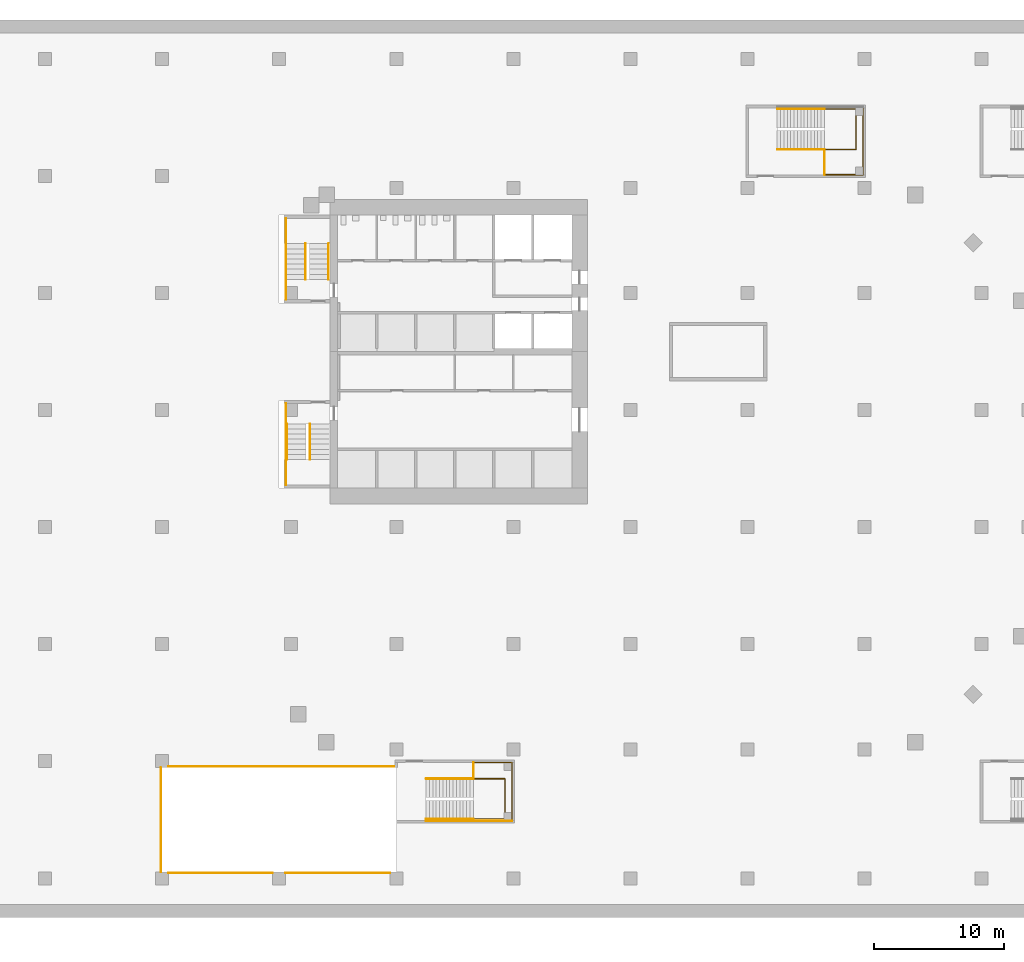
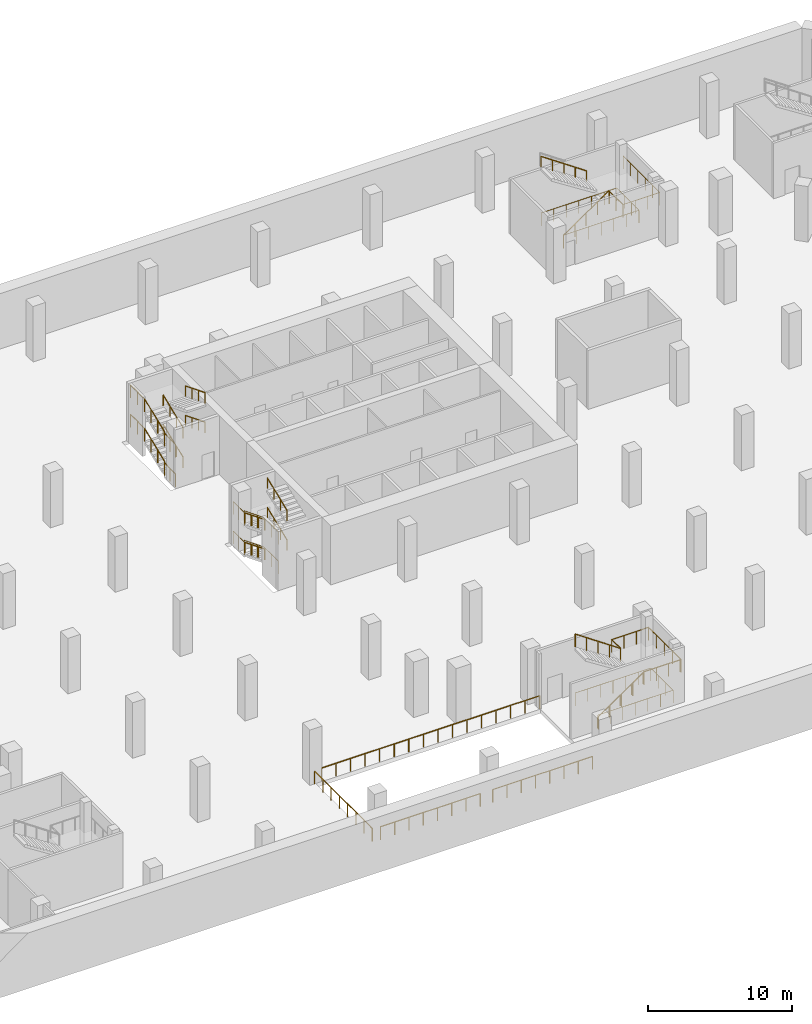
# One storey, part 16 of 19: 27 railings, 2 elements without a shape of their own.
"""IFC4 building model written with IfcOpenShell, lengths in metres."""

import ifcopenshell
import ifcopenshell.guid

model = None  # the IFC model being written
_history = None  # IfcOwnerHistory: only IFC2X3 demands one
_inside = {}  # id of a spatial element -> (the spatial element, [elements in it])
_under = {}  # id of a project, library or spatial element -> (it, [spatial elements below it])
_declared = {}  # id of a project -> (the project, [libraries it declares])
_typed = {}  # id of a type object -> (the type object, [elements of that type])
_made_of = {}  # id of a material, layer set ... -> (it, [elements and type objects made of it])


def new_model(schema):
    """Start an empty IFC model of exactly this schema.

    Asked for "IFC4X3", IfcOpenShell would pick the latest addendum, in which some entities
    have other attributes; the version numbers below select the first issue.
    IFC2X3 requires an IfcOwnerHistory on every rooted entity: one is made here for all.
    """
    global model, _history
    if schema == "IFC4X3":
        model = ifcopenshell.file(schema_version=(4, 3, 0, 0))
    else:
        model = ifcopenshell.file(schema=schema)
    _inside.clear()
    _under.clear()
    _declared.clear()
    _typed.clear()
    _made_of.clear()
    _history = None
    if model.schema == "IFC2X3":
        org = make("IfcOrganization", Name="unknown")
        user = make(
            "IfcPersonAndOrganization",
            ThePerson=make("IfcPerson", FamilyName="unknown"),
            TheOrganization=org,
        )
        app = make(
            "IfcApplication",
            ApplicationDeveloper=org,
            Version="unknown",
            ApplicationFullName="unknown",
            ApplicationIdentifier="unknown",
        )
        _history = make(
            "IfcOwnerHistory",
            OwningUser=user,
            OwningApplication=app,
            ChangeAction="ADDED",
            CreationDate=0,
        )
    return model


def make(cls, **values):
    """One entity of the class cls with the attributes given. An attribute that is None is left unset."""
    return model.create_entity(
        cls, **{name: value for name, value in values.items() if value is not None}
    )


def rooted(cls, **values):
    """An entity with a GlobalId (a new one), such as an element, a storey or a relation."""
    return make(cls, GlobalId=ifcopenshell.guid.new(), OwnerHistory=_history, **values)


def si_unit(unit_type, name, prefix=None):
    """IfcSIUnit, for example si_unit("LENGTHUNIT", "METRE", prefix="MILLI")."""
    return make("IfcSIUnit", UnitType=unit_type, Prefix=prefix, Name=name)


def assignment(units):
    """IfcUnitAssignment: the units of a project."""
    return None if units is None else make("IfcUnitAssignment", Units=units)


def point(xyz):
    """IfcCartesianPoint."""
    return None if xyz is None else make("IfcCartesianPoint", Coordinates=xyz)


def direction(xyz):
    """IfcDirection."""
    return None if xyz is None else make("IfcDirection", DirectionRatios=xyz)


def frame(location, z_axis=None, x_axis=None):
    """IfcAxis2Placement3D, a coordinate frame: its origin and axes. An axis left out is left unset."""
    return make(
        "IfcAxis2Placement3D",
        Location=point(location),
        Axis=direction(z_axis),
        RefDirection=direction(x_axis),
    )


def frame_2d(location, x_axis=None):
    """IfcAxis2Placement2D, a coordinate frame in the plane: its origin and x axis."""
    return make(
        "IfcAxis2Placement2D", Location=point(location), RefDirection=direction(x_axis)
    )


def origin():
    """The frame at (0, 0, 0) with its axes left unset."""
    return frame((0.0, 0.0, 0.0))


def origin_2d():
    """The frame at (0, 0) in the plane with its x axis left unset."""
    return frame_2d((0.0, 0.0))


def place(relative_to, where):
    """IfcLocalPlacement: puts the frame where relative to a parent placement (None: the world)."""
    return make(
        "IfcLocalPlacement", PlacementRelTo=relative_to, RelativePlacement=where
    )


def context(
    kind, dimensions, precision=None, world=None, true_north=None, identifier=None
):
    """IfcGeometricRepresentationContext, for example the 3D "Model" context."""
    return make(
        "IfcGeometricRepresentationContext",
        ContextIdentifier=identifier,
        ContextType=kind,
        CoordinateSpaceDimension=dimensions,
        Precision=precision,
        WorldCoordinateSystem=world,
        TrueNorth=true_north,
    )


def subcontext(parent, identifier, kind, view, scale=None):
    """IfcGeometricRepresentationSubContext, for example "Body" below "Model"."""
    return make(
        "IfcGeometricRepresentationSubContext",
        ContextIdentifier=identifier,
        ContextType=kind,
        ParentContext=parent,
        TargetScale=scale,
        TargetView=view,
    )


def project(units=None, contexts=None):
    """IfcProject with its units and contexts."""
    return rooted(
        "IfcProject",
        Name="project",
        RepresentationContexts=contexts,
        UnitsInContext=assignment(units),
    )


def spatial(cls, under=None, at=None, **own):
    """A site, building, storey or space (cls), placed at a placement, below another one or the project."""
    s = rooted(cls, ObjectPlacement=at, **own)
    if under is not None:
        _under.setdefault(under.id(), (under, []))[1].append(s)
    return s


def profile(cls, at=None, kind="AREA", **sizes):
    """A parametric profile (cls). Its sizes go by their IFC names, for example OverallWidth=200.0."""
    return make(cls, ProfileType=kind, Position=at, **sizes)


def circle(**sizes):
    """IfcCircleProfileDef."""
    return profile("IfcCircleProfileDef", **sizes)


def extrude(swept, where, along, depth):
    """IfcExtrudedAreaSolid: the profile swept, set in the frame where, extruded along a direction by depth."""
    return make(
        "IfcExtrudedAreaSolid",
        SweptArea=swept,
        Position=where,
        ExtrudedDirection=direction(along),
        Depth=depth,
    )


def shape(context_of_items, identifier, shape_type, items):
    """IfcShapeRepresentation: the items that make up one representation, for example the "Body"."""
    return make(
        "IfcShapeRepresentation",
        ContextOfItems=context_of_items,
        RepresentationIdentifier=identifier,
        RepresentationType=shape_type,
        Items=items,
    )


def material(Name=None, Category=None):
    """IfcMaterial."""
    return make("IfcMaterial", Name=Name, Category=Category)


def made_of(thing, what):
    """Note that an element or type object is made of a material, layer set ...; save() writes the relation."""
    if what is not None:
        _made_of.setdefault(what.id(), (what, []))[1].append(thing)
    return thing


def type_object(cls, material=None, **own):
    """A type object (cls), such as IfcWallType, which elements share."""
    return made_of(rooted(cls, **own), material)


def element(
    cls,
    number,
    at=None,
    inside=None,
    cuts=None,
    type_object=None,
    material=None,
    context=None,
    identifier="Body",
    shape_type=None,
    held_by="IfcProductDefinitionShape",
    body=None,
    shapes=None,
    **own,
):
    """One element of the class cls, such as IfcWall. Its Tag is "e" and its number.

    at: its placement. inside: the storey or other place that contains it. cuts: it is an
    opening in that element (IfcRelVoidsElement). A single representation is given by context,
    identifier, shape_type and body (its items); several are given by shapes. held_by: the class
    of the entity that holds the representations. save() writes the other relations.
    """
    e = rooted(cls, Tag="e%d" % number, ObjectPlacement=at, **own)
    if body is not None:
        shapes = [shape(context, identifier, shape_type, body)]
    if shapes is not None:
        e.Representation = make(held_by, Representations=shapes)
    if inside is not None:
        _inside.setdefault(inside.id(), (inside, []))[1].append(e)
    if cuts is not None:
        rooted(
            "IfcRelVoidsElement", RelatingBuildingElement=cuts, RelatedOpeningElement=e
        )
    if type_object is not None:
        _typed.setdefault(type_object.id(), (type_object, []))[1].append(e)
    return made_of(e, material)


def aggregate(whole, parts):
    """IfcRelAggregates: a whole, such as a stair, and the parts it consists of."""
    return rooted("IfcRelAggregates", RelatingObject=whole, RelatedObjects=parts)


def save(model, path):
    """Write the relations noted so far, then the file.

    IfcRelAggregates (storeys below a building ...), IfcRelContainedInSpatialStructure (elements
    in a storey), IfcRelDefinesByType, IfcRelAssociatesMaterial and IfcRelDeclares: one each for
    every whole, place, type object, material and project.
    """
    for whole, parts in _under.values():
        aggregate(whole, parts)
    for where, things in _inside.values():
        rooted(
            "IfcRelContainedInSpatialStructure",
            RelatedElements=things,
            RelatingStructure=where,
        )
    for kind, things in _typed.values():
        rooted("IfcRelDefinesByType", RelatedObjects=things, RelatingType=kind)
    for what, things in _made_of.values():
        rooted("IfcRelAssociatesMaterial", RelatedObjects=things, RelatingMaterial=what)
    for by, libraries in _declared.values():
        rooted("IfcRelDeclares", RelatingContext=by, RelatedDefinitions=libraries)
    model.write(path)


model = new_model("IFC4")

# Units and contexts
model_context = context("Model", 3, precision=1e-05, world=origin(), true_north=direction((0.0, 1.0)))
body_context = subcontext(model_context, "Body", "Model", "MODEL_VIEW")
ifc_project = project(units=[si_unit("LENGTHUNIT", "METRE"), si_unit("AREAUNIT", "SQUARE_METRE"), si_unit("VOLUMEUNIT", "CUBIC_METRE"), si_unit("PLANEANGLEUNIT", "RADIAN"), si_unit("MASSUNIT", "GRAM", prefix="KILO")], contexts=[model_context])

# Site, building, storey
site_placement = place(None, origin())
site = spatial("IfcSite", under=ifc_project, at=site_placement, CompositionType="ELEMENT")
building_placement = place(site_placement, origin())
building = spatial("IfcBuilding", under=site, at=building_placement, Name="Cinnabar Reach Civic Tower", CompositionType="ELEMENT")
storey_placement = place(building_placement, frame((0.0, 0.0, -5.0)))
storey = spatial("IfcBuildingStorey", under=building, at=storey_placement, Name="B1", CompositionType="ELEMENT", Elevation=-5.0)

# Railings
ifc_material_1 = material(Name="Stainless steel and glass", Category="steel")
railing_type_1 = type_object("IfcRailingType", Name="Podium guard 1100", PredefinedType="GUARDRAIL", material=ifc_material_1)
railing_1_placement = place(storey_placement, frame((14.94, -1.35, 2.5)))
element("IfcRailing", 1, at=railing_1_placement, inside=storey, type_object=railing_type_1, Name="Stair guard PS3 B1", PredefinedType="GUARDRAIL", context=body_context, shape_type="SweptSolid", body=[
    extrude(circle(Radius=0.024, at=origin_2d()), frame((0.0, 0.0, 1.076), z_axis=(-0.824306135323, 0.0, 0.566144323711), x_axis=(0.0, -1.0, 0.0)), (0.0, 0.0, 1.0), 4.4158),
    extrude(circle(Radius=0.021, at=origin_2d()), origin(), (0.0, 0.0, 1.0), 1.052),
    extrude(circle(Radius=0.021, at=origin_2d()), frame((-0.91, 0.0, 0.625)), (0.0, 0.0, 1.0), 1.052),
    extrude(circle(Radius=0.021, at=origin_2d()), frame((-1.82, 0.0, 1.25)), (0.0, 0.0, 1.0), 1.052),
    extrude(circle(Radius=0.021, at=origin_2d()), frame((-2.73, 0.0, 1.875)), (0.0, 0.0, 1.0), 1.052),
    extrude(circle(Radius=0.021, at=origin_2d()), frame((-3.64, 0.0, 2.5)), (0.0, 0.0, 1.0), 1.052),
])
railing_2_placement = place(storey_placement, frame((14.94, -0.1, 2.5)))
element("IfcRailing", 2, at=railing_2_placement, inside=storey, type_object=railing_type_1, Name="Landing guard PS3 B1", PredefinedType="GUARDRAIL", context=body_context, shape_type="SweptSolid", body=[
    extrude(circle(Radius=0.024, at=origin_2d()), frame((0.0, 0.0, 1.076), z_axis=(1.0, 0.0, 0.0), x_axis=(0.0, 1.0, 0.0)), (0.0, 0.0, 1.0), 2.96),
    extrude(circle(Radius=0.024, at=origin_2d()), frame((2.96, 0.0, 1.076), z_axis=(0.0, -1.0, 0.0), x_axis=(1.0, 0.0, 0.0)), (0.0, 0.0, 1.0), 4.4),
    extrude(circle(Radius=0.021, at=origin_2d()), origin(), (0.0, 0.0, 1.0), 1.052),
    extrude(circle(Radius=0.021, at=origin_2d()), frame((0.9867, 0.0, 0.0)), (0.0, 0.0, 1.0), 1.052),
    extrude(circle(Radius=0.021, at=origin_2d()), frame((1.9733, 0.0, 0.0)), (0.0, 0.0, 1.0), 1.052),
    extrude(circle(Radius=0.021, at=origin_2d()), frame((2.96, 0.0, 0.0)), (0.0, 0.0, 1.0), 1.052),
    extrude(circle(Radius=0.021, at=origin_2d()), frame((2.96, -1.1, 0.0)), (0.0, 0.0, 1.0), 1.052),
    extrude(circle(Radius=0.021, at=origin_2d()), frame((2.96, -2.2, 0.0)), (0.0, 0.0, 1.0), 1.052),
    extrude(circle(Radius=0.021, at=origin_2d()), frame((2.96, -3.3, 0.0)), (0.0, 0.0, 1.0), 1.052),
    extrude(circle(Radius=0.021, at=origin_2d()), frame((2.96, -4.4, 0.0)), (0.0, 0.0, 1.0), 1.052),
])
railing_3_placement = place(storey_placement, frame((14.94, -1.3, 2.5)))
element("IfcRailing", 3, at=railing_3_placement, inside=storey, type_object=railing_type_1, Name="Landing guard PS3 B1 inner", PredefinedType="GUARDRAIL", context=body_context, shape_type="SweptSolid", body=[
    extrude(circle(Radius=0.024, at=origin_2d()), frame((0.0, 0.0, 1.076), z_axis=(0.0, 1.0, 0.0), x_axis=(-1.0, 0.0, 0.0)), (0.0, 0.0, 1.0), 1.2),
    extrude(circle(Radius=0.021, at=origin_2d()), origin(), (0.0, 0.0, 1.0), 1.052),
    extrude(circle(Radius=0.021, at=origin_2d()), frame((0.0, 1.2, 0.0)), (0.0, 0.0, 1.0), 1.052),
])
railing_4_placement = place(storey_placement, frame((11.3, -4.6, 0.0)))
element("IfcRailing", 4, at=railing_4_placement, inside=storey, type_object=railing_type_1, Name="Stair wall side guard PS3 B1", PredefinedType="GUARDRAIL", context=body_context, shape_type="SweptSolid", body=[
    extrude(circle(Radius=0.024, at=origin_2d()), frame((0.0, 0.0, 1.076), z_axis=(0.824306135323, 0.0, 0.566144323711), x_axis=(0.0, 1.0, 0.0)), (0.0, 0.0, 1.0), 4.4158),
    extrude(circle(Radius=0.024, at=origin_2d()), frame((3.64, 0.0, 3.576), z_axis=(1.0, 0.0, 0.0), x_axis=(0.0, 1.0, 0.0)), (0.0, 0.0, 1.0), 2.96),
    extrude(circle(Radius=0.021, at=origin_2d()), origin(), (0.0, 0.0, 1.0), 1.052),
    extrude(circle(Radius=0.021, at=origin_2d()), frame((0.91, 0.0, 0.625)), (0.0, 0.0, 1.0), 1.052),
    extrude(circle(Radius=0.021, at=origin_2d()), frame((1.82, 0.0, 1.25)), (0.0, 0.0, 1.0), 1.052),
    extrude(circle(Radius=0.021, at=origin_2d()), frame((2.73, 0.0, 1.875)), (0.0, 0.0, 1.0), 1.052),
    extrude(circle(Radius=0.021, at=origin_2d()), frame((3.64, 0.0, 2.5)), (0.0, 0.0, 1.0), 1.052),
    extrude(circle(Radius=0.021, at=origin_2d()), frame((4.6267, 0.0, 2.5)), (0.0, 0.0, 1.0), 1.052),
    extrude(circle(Radius=0.021, at=origin_2d()), frame((5.6133, 0.0, 2.5)), (0.0, 0.0, 1.0), 1.052),
    extrude(circle(Radius=0.021, at=origin_2d()), frame((6.6, 0.0, 2.5)), (0.0, 0.0, 1.0), 1.052),
])
railing_5_placement = place(storey_placement, frame((11.3, -4.45, 0.0)))
element("IfcRailing", 5, at=railing_5_placement, inside=storey, type_object=railing_type_1, Name="Stair well guard PS3 B1", PredefinedType="GUARDRAIL", context=body_context, shape_type="SweptSolid", body=[
    extrude(circle(Radius=0.024, at=origin_2d()), frame((0.0, 0.0, 1.076), z_axis=(1.0, 0.0, 0.0), x_axis=(0.0, 1.0, 0.0)), (0.0, 0.0, 1.0), 6.05),
    extrude(circle(Radius=0.024, at=origin_2d()), frame((6.05, 0.0, 1.076), z_axis=(0.0, 1.0, 0.0), x_axis=(-1.0, 0.0, 0.0)), (0.0, 0.0, 1.0), 3.1),
    extrude(circle(Radius=0.024, at=origin_2d()), frame((6.05, 3.1, 1.076), z_axis=(-1.0, 0.0, 0.0), x_axis=(0.0, -1.0, 0.0)), (0.0, 0.0, 1.0), 6.05),
    extrude(circle(Radius=0.021, at=origin_2d()), origin(), (0.0, 0.0, 1.0), 1.052),
    extrude(circle(Radius=0.021, at=origin_2d()), frame((1.0083, 0.0, 0.0)), (0.0, 0.0, 1.0), 1.052),
    extrude(circle(Radius=0.021, at=origin_2d()), frame((2.0167, 0.0, 0.0)), (0.0, 0.0, 1.0), 1.052),
    extrude(circle(Radius=0.021, at=origin_2d()), frame((3.025, 0.0, 0.0)), (0.0, 0.0, 1.0), 1.052),
    extrude(circle(Radius=0.021, at=origin_2d()), frame((4.0333, 0.0, 0.0)), (0.0, 0.0, 1.0), 1.052),
    extrude(circle(Radius=0.021, at=origin_2d()), frame((5.0417, 0.0, 0.0)), (0.0, 0.0, 1.0), 1.052),
    extrude(circle(Radius=0.021, at=origin_2d()), frame((6.05, 0.0, 0.0)), (0.0, 0.0, 1.0), 1.052),
    extrude(circle(Radius=0.021, at=origin_2d()), frame((6.05, 1.0333, 0.0)), (0.0, 0.0, 1.0), 1.052),
    extrude(circle(Radius=0.021, at=origin_2d()), frame((6.05, 2.0667, 0.0)), (0.0, 0.0, 1.0), 1.052),
    extrude(circle(Radius=0.021, at=origin_2d()), frame((6.05, 3.1, 0.0)), (0.0, 0.0, 1.0), 1.052),
    extrude(circle(Radius=0.021, at=origin_2d()), frame((5.0417, 3.1, 0.0)), (0.0, 0.0, 1.0), 1.052),
    extrude(circle(Radius=0.021, at=origin_2d()), frame((4.0333, 3.1, 0.0)), (0.0, 0.0, 1.0), 1.052),
    extrude(circle(Radius=0.021, at=origin_2d()), frame((3.025, 3.1, 0.0)), (0.0, 0.0, 1.0), 1.052),
    extrude(circle(Radius=0.021, at=origin_2d()), frame((2.0167, 3.1, 0.0)), (0.0, 0.0, 1.0), 1.052),
    extrude(circle(Radius=0.021, at=origin_2d()), frame((1.0083, 3.1, 0.0)), (0.0, 0.0, 1.0), 1.052),
    extrude(circle(Radius=0.021, at=origin_2d()), frame((0.0, 3.1, 0.0)), (0.0, 0.0, 1.0), 1.052),
])
railing_6_placement = place(storey_placement, frame((38.3, 47.05, 0.0)))
element("IfcRailing", 6, at=railing_6_placement, inside=storey, type_object=railing_type_1, Name="Stair guard PS6 B1", PredefinedType="GUARDRAIL", context=body_context, shape_type="SweptSolid", body=[
    extrude(circle(Radius=0.024, at=origin_2d()), frame((0.0, 0.0, 1.076), z_axis=(0.824306135323, 0.0, 0.566144323711), x_axis=(0.0, 1.0, 0.0)), (0.0, 0.0, 1.0), 4.4158),
    extrude(circle(Radius=0.021, at=origin_2d()), origin(), (0.0, 0.0, 1.0), 1.052),
    extrude(circle(Radius=0.021, at=origin_2d()), frame((0.91, 0.0, 0.625)), (0.0, 0.0, 1.0), 1.052),
    extrude(circle(Radius=0.021, at=origin_2d()), frame((1.82, 0.0, 1.25)), (0.0, 0.0, 1.0), 1.052),
    extrude(circle(Radius=0.021, at=origin_2d()), frame((2.73, 0.0, 1.875)), (0.0, 0.0, 1.0), 1.052),
    extrude(circle(Radius=0.021, at=origin_2d()), frame((3.64, 0.0, 2.5)), (0.0, 0.0, 1.0), 1.052),
])
railing_7_placement = place(storey_placement, frame((41.94, 45.1, 2.5)))
element("IfcRailing", 7, at=railing_7_placement, inside=storey, type_object=railing_type_1, Name="Landing guard PS6 B1", PredefinedType="GUARDRAIL", context=body_context, shape_type="SweptSolid", body=[
    extrude(circle(Radius=0.024, at=origin_2d()), frame((0.0, 0.0, 1.076), z_axis=(1.0, 0.0, 0.0), x_axis=(0.0, 1.0, 0.0)), (0.0, 0.0, 1.0), 2.96),
    extrude(circle(Radius=0.024, at=origin_2d()), frame((2.96, 0.0, 1.076), z_axis=(0.0, 1.0, 0.0), x_axis=(-1.0, 0.0, 0.0)), (0.0, 0.0, 1.0), 5.1),
    extrude(circle(Radius=0.021, at=origin_2d()), origin(), (0.0, 0.0, 1.0), 1.052),
    extrude(circle(Radius=0.021, at=origin_2d()), frame((0.9867, 0.0, 0.0)), (0.0, 0.0, 1.0), 1.052),
    extrude(circle(Radius=0.021, at=origin_2d()), frame((1.9733, 0.0, 0.0)), (0.0, 0.0, 1.0), 1.052),
    extrude(circle(Radius=0.021, at=origin_2d()), frame((2.96, 0.0, 0.0)), (0.0, 0.0, 1.0), 1.052),
    extrude(circle(Radius=0.021, at=origin_2d()), frame((2.96, 1.02, 0.0)), (0.0, 0.0, 1.0), 1.052),
    extrude(circle(Radius=0.021, at=origin_2d()), frame((2.96, 2.04, 0.0)), (0.0, 0.0, 1.0), 1.052),
    extrude(circle(Radius=0.021, at=origin_2d()), frame((2.96, 3.06, 0.0)), (0.0, 0.0, 1.0), 1.052),
    extrude(circle(Radius=0.021, at=origin_2d()), frame((2.96, 4.08, 0.0)), (0.0, 0.0, 1.0), 1.052),
    extrude(circle(Radius=0.021, at=origin_2d()), frame((2.96, 5.1, 0.0)), (0.0, 0.0, 1.0), 1.052),
])
railing_8_placement = place(storey_placement, frame((41.94, 45.1, 2.5)))
element("IfcRailing", 8, at=railing_8_placement, inside=storey, type_object=railing_type_1, Name="Landing guard PS6 B1 inner", PredefinedType="GUARDRAIL", context=body_context, shape_type="SweptSolid", body=[
    extrude(circle(Radius=0.024, at=origin_2d()), frame((0.0, 0.0, 1.076), z_axis=(0.0, 1.0, 0.0), x_axis=(-1.0, 0.0, 0.0)), (0.0, 0.0, 1.0), 1.9),
    extrude(circle(Radius=0.021, at=origin_2d()), origin(), (0.0, 0.0, 1.0), 1.052),
    extrude(circle(Radius=0.021, at=origin_2d()), frame((0.0, 0.95, 0.0)), (0.0, 0.0, 1.0), 1.052),
    extrude(circle(Radius=0.021, at=origin_2d()), frame((0.0, 1.9, 0.0)), (0.0, 0.0, 1.0), 1.052),
])
railing_9_placement = place(storey_placement, frame((38.3, 47.05, 0.0)))
element("IfcRailing", 9, at=railing_9_placement, inside=storey, type_object=railing_type_1, Name="Stair well guard PS6 B1", PredefinedType="GUARDRAIL", context=body_context, shape_type="SweptSolid", body=[
    extrude(circle(Radius=0.024, at=origin_2d()), frame((0.0, 0.0, 1.076), z_axis=(1.0, 0.0, 0.0), x_axis=(0.0, 1.0, 0.0)), (0.0, 0.0, 1.0), 6.05),
    extrude(circle(Radius=0.024, at=origin_2d()), frame((6.05, 0.0, 1.076), z_axis=(0.0, 1.0, 0.0), x_axis=(-1.0, 0.0, 0.0)), (0.0, 0.0, 1.0), 3.1),
    extrude(circle(Radius=0.024, at=origin_2d()), frame((6.05, 3.1, 1.076), z_axis=(-1.0, 0.0, 0.0), x_axis=(0.0, -1.0, 0.0)), (0.0, 0.0, 1.0), 6.05),
    extrude(circle(Radius=0.021, at=origin_2d()), origin(), (0.0, 0.0, 1.0), 1.052),
    extrude(circle(Radius=0.021, at=origin_2d()), frame((1.0083, 0.0, 0.0)), (0.0, 0.0, 1.0), 1.052),
    extrude(circle(Radius=0.021, at=origin_2d()), frame((2.0167, 0.0, 0.0)), (0.0, 0.0, 1.0), 1.052),
    extrude(circle(Radius=0.021, at=origin_2d()), frame((3.025, 0.0, 0.0)), (0.0, 0.0, 1.0), 1.052),
    extrude(circle(Radius=0.021, at=origin_2d()), frame((4.0333, 0.0, 0.0)), (0.0, 0.0, 1.0), 1.052),
    extrude(circle(Radius=0.021, at=origin_2d()), frame((5.0417, 0.0, 0.0)), (0.0, 0.0, 1.0), 1.052),
    extrude(circle(Radius=0.021, at=origin_2d()), frame((6.05, 0.0, 0.0)), (0.0, 0.0, 1.0), 1.052),
    extrude(circle(Radius=0.021, at=origin_2d()), frame((6.05, 1.0333, 0.0)), (0.0, 0.0, 1.0), 1.052),
    extrude(circle(Radius=0.021, at=origin_2d()), frame((6.05, 2.0667, 0.0)), (0.0, 0.0, 1.0), 1.052),
    extrude(circle(Radius=0.021, at=origin_2d()), frame((6.05, 3.1, 0.0)), (0.0, 0.0, 1.0), 1.052),
    extrude(circle(Radius=0.021, at=origin_2d()), frame((5.0417, 3.1, 0.0)), (0.0, 0.0, 1.0), 1.052),
    extrude(circle(Radius=0.021, at=origin_2d()), frame((4.0333, 3.1, 0.0)), (0.0, 0.0, 1.0), 1.052),
    extrude(circle(Radius=0.021, at=origin_2d()), frame((3.025, 3.1, 0.0)), (0.0, 0.0, 1.0), 1.052),
    extrude(circle(Radius=0.021, at=origin_2d()), frame((2.0167, 3.1, 0.0)), (0.0, 0.0, 1.0), 1.052),
    extrude(circle(Radius=0.021, at=origin_2d()), frame((1.0083, 3.1, 0.0)), (0.0, 0.0, 1.0), 1.052),
    extrude(circle(Radius=0.021, at=origin_2d()), frame((0.0, 3.1, 0.0)), (0.0, 0.0, 1.0), 1.052),
])
railing_10_placement = place(storey_placement, frame((-8.5, -0.4, 0.0)))
element("IfcRailing", 10, at=railing_10_placement, inside=storey, type_object=railing_type_1, Name="Opening guard B1 rh0-n", PredefinedType="GUARDRAIL", context=body_context, shape_type="SweptSolid", body=[
    extrude(circle(Radius=0.024, at=origin_2d()), frame((0.0, 0.0, 1.076), z_axis=(1.0, 0.0, 0.0), x_axis=(0.0, 1.0, 0.0)), (0.0, 0.0, 1.0), 17.5),
    extrude(circle(Radius=0.021, at=origin_2d()), origin(), (0.0, 0.0, 1.0), 1.052),
    extrude(circle(Radius=0.021, at=origin_2d()), frame((1.1667, 0.0, 0.0)), (0.0, 0.0, 1.0), 1.052),
    extrude(circle(Radius=0.021, at=origin_2d()), frame((2.3333, 0.0, 0.0)), (0.0, 0.0, 1.0), 1.052),
    extrude(circle(Radius=0.021, at=origin_2d()), frame((3.5, 0.0, 0.0)), (0.0, 0.0, 1.0), 1.052),
    extrude(circle(Radius=0.021, at=origin_2d()), frame((4.6667, 0.0, 0.0)), (0.0, 0.0, 1.0), 1.052),
    extrude(circle(Radius=0.021, at=origin_2d()), frame((5.8333, 0.0, 0.0)), (0.0, 0.0, 1.0), 1.052),
    extrude(circle(Radius=0.021, at=origin_2d()), frame((7.0, 0.0, 0.0)), (0.0, 0.0, 1.0), 1.052),
    extrude(circle(Radius=0.021, at=origin_2d()), frame((8.1667, 0.0, 0.0)), (0.0, 0.0, 1.0), 1.052),
    extrude(circle(Radius=0.021, at=origin_2d()), frame((9.3333, 0.0, 0.0)), (0.0, 0.0, 1.0), 1.052),
    extrude(circle(Radius=0.021, at=origin_2d()), frame((10.5, 0.0, 0.0)), (0.0, 0.0, 1.0), 1.052),
    extrude(circle(Radius=0.021, at=origin_2d()), frame((11.6667, 0.0, 0.0)), (0.0, 0.0, 1.0), 1.052),
    extrude(circle(Radius=0.021, at=origin_2d()), frame((12.8333, 0.0, 0.0)), (0.0, 0.0, 1.0), 1.052),
    extrude(circle(Radius=0.021, at=origin_2d()), frame((14.0, 0.0, 0.0)), (0.0, 0.0, 1.0), 1.052),
    extrude(circle(Radius=0.021, at=origin_2d()), frame((15.1667, 0.0, 0.0)), (0.0, 0.0, 1.0), 1.052),
    extrude(circle(Radius=0.021, at=origin_2d()), frame((16.3333, 0.0, 0.0)), (0.0, 0.0, 1.0), 1.052),
    extrude(circle(Radius=0.021, at=origin_2d()), frame((17.5, 0.0, 0.0)), (0.0, 0.0, 1.0), 1.052),
])
for number, where, name in (
    (11, (-8.5, -8.6, 0.0), "Opening guard B1 rh0-s"),
    (12, (0.5, -8.6, 0.0), "Opening guard B1 rh0-s"),
):
    element("IfcRailing", number, at=place(storey_placement, frame(where)), inside=storey, type_object=railing_type_1, Name=name, PredefinedType="GUARDRAIL", context=body_context, shape_type="SweptSolid", body=[
        extrude(circle(Radius=0.024, at=origin_2d()), frame((0.0, 0.0, 1.076), z_axis=(1.0, 0.0, 0.0), x_axis=(0.0, 1.0, 0.0)), (0.0, 0.0, 1.0), 8.0),
        extrude(circle(Radius=0.021, at=origin_2d()), origin(), (0.0, 0.0, 1.0), 1.052),
        extrude(circle(Radius=0.021, at=origin_2d()), frame((1.1429, 0.0, 0.0)), (0.0, 0.0, 1.0), 1.052),
        extrude(circle(Radius=0.021, at=origin_2d()), frame((2.2857, 0.0, 0.0)), (0.0, 0.0, 1.0), 1.052),
        extrude(circle(Radius=0.021, at=origin_2d()), frame((3.4286, 0.0, 0.0)), (0.0, 0.0, 1.0), 1.052),
        extrude(circle(Radius=0.021, at=origin_2d()), frame((4.5714, 0.0, 0.0)), (0.0, 0.0, 1.0), 1.052),
        extrude(circle(Radius=0.021, at=origin_2d()), frame((5.7143, 0.0, 0.0)), (0.0, 0.0, 1.0), 1.052),
        extrude(circle(Radius=0.021, at=origin_2d()), frame((6.8571, 0.0, 0.0)), (0.0, 0.0, 1.0), 1.052),
        extrude(circle(Radius=0.021, at=origin_2d()), frame((8.0, 0.0, 0.0)), (0.0, 0.0, 1.0), 1.052),
    ])
railing_11_placement = place(storey_placement, frame((-9.1, -8.5, 0.0)))
element("IfcRailing", 13, at=railing_11_placement, inside=storey, type_object=railing_type_1, Name="Opening guard B1 rh0-w", PredefinedType="GUARDRAIL", context=body_context, shape_type="SweptSolid", body=[
    extrude(circle(Radius=0.024, at=origin_2d()), frame((0.0, 0.0, 1.076), z_axis=(0.0, 1.0, 0.0), x_axis=(-1.0, 0.0, 0.0)), (0.0, 0.0, 1.0), 8.0),
    extrude(circle(Radius=0.021, at=origin_2d()), origin(), (0.0, 0.0, 1.0), 1.052),
    extrude(circle(Radius=0.021, at=origin_2d()), frame((0.0, 1.1429, 0.0)), (0.0, 0.0, 1.0), 1.052),
    extrude(circle(Radius=0.021, at=origin_2d()), frame((0.0, 2.2857, 0.0)), (0.0, 0.0, 1.0), 1.052),
    extrude(circle(Radius=0.021, at=origin_2d()), frame((0.0, 3.4286, 0.0)), (0.0, 0.0, 1.0), 1.052),
    extrude(circle(Radius=0.021, at=origin_2d()), frame((0.0, 4.5714, 0.0)), (0.0, 0.0, 1.0), 1.052),
    extrude(circle(Radius=0.021, at=origin_2d()), frame((0.0, 5.7143, 0.0)), (0.0, 0.0, 1.0), 1.052),
    extrude(circle(Radius=0.021, at=origin_2d()), frame((0.0, 6.8571, 0.0)), (0.0, 0.0, 1.0), 1.052),
    extrude(circle(Radius=0.021, at=origin_2d()), frame((0.0, 8.0, 0.0)), (0.0, 0.0, 1.0), 1.052),
])
ifc_material_2 = material(Name="Stainless steel", Category="steel")
railing_type_2 = type_object("IfcRailingType", Name="Podium stair handrail 900", PredefinedType="HANDRAIL", material=ifc_material_2)
railing_12_placement = place(storey_placement, frame((11.3, -4.45, 0.0)))
element("IfcRailing", 14, at=railing_12_placement, inside=storey, type_object=railing_type_2, Name="Stair handrail PS3 B1", PredefinedType="HANDRAIL", context=body_context, shape_type="SweptSolid", body=[
    extrude(circle(Radius=0.024, at=origin_2d()), frame((0.0, 0.0, 0.876), z_axis=(0.824306135323, 0.0, 0.566144323711), x_axis=(0.0, 1.0, 0.0)), (0.0, 0.0, 1.0), 4.4158),
    extrude(circle(Radius=0.021, at=origin_2d()), origin(), (0.0, 0.0, 1.0), 0.852),
    extrude(circle(Radius=0.021, at=origin_2d()), frame((0.91, 0.0, 0.625)), (0.0, 0.0, 1.0), 0.852),
    extrude(circle(Radius=0.021, at=origin_2d()), frame((1.82, 0.0, 1.25)), (0.0, 0.0, 1.0), 0.852),
    extrude(circle(Radius=0.021, at=origin_2d()), frame((2.73, 0.0, 1.875)), (0.0, 0.0, 1.0), 0.852),
    extrude(circle(Radius=0.021, at=origin_2d()), frame((3.64, 0.0, 2.5)), (0.0, 0.0, 1.0), 0.852),
])
railing_13_placement = place(storey_placement, frame((41.94, 50.15, 2.5)))
element("IfcRailing", 15, at=railing_13_placement, inside=storey, type_object=railing_type_2, Name="Stair handrail PS6 B1", PredefinedType="HANDRAIL", context=body_context, shape_type="SweptSolid", body=[
    extrude(circle(Radius=0.024, at=origin_2d()), frame((0.0, 0.0, 0.876), z_axis=(-0.824306135323, 0.0, 0.566144323711), x_axis=(0.0, -1.0, 0.0)), (0.0, 0.0, 1.0), 4.4158),
    extrude(circle(Radius=0.021, at=origin_2d()), origin(), (0.0, 0.0, 1.0), 0.852),
    extrude(circle(Radius=0.021, at=origin_2d()), frame((-0.91, 0.0, 0.625)), (0.0, 0.0, 1.0), 0.852),
    extrude(circle(Radius=0.021, at=origin_2d()), frame((-1.82, 0.0, 1.25)), (0.0, 0.0, 1.0), 0.852),
    extrude(circle(Radius=0.021, at=origin_2d()), frame((-2.73, 0.0, 1.875)), (0.0, 0.0, 1.0), 0.852),
    extrude(circle(Radius=0.021, at=origin_2d()), frame((-3.64, 0.0, 2.5)), (0.0, 0.0, 1.0), 0.852),
])

# Stair, railings
ifc_material_3 = material(Name="Concrete C40/50", Category="concrete")
stair_type = type_object("IfcStairType", Name="T1 Exit stair, double return", PredefinedType="DOUBLE_RETURN_STAIR", material=ifc_material_3)
stair_1_placement = place(storey_placement, origin())
stair_1 = element("IfcStair", 16, at=stair_1_placement, inside=storey, type_object=stair_type, Name="Stair T1-S1", PredefinedType="DOUBLE_RETURN_STAIR")
ifc_material_4 = material(Name="Stainless steel tube", Category="steel")
railing_type_3 = type_object("IfcRailingType", Name="T1 Stair handrail, stainless tube 48", PredefinedType="HANDRAIL", material=ifc_material_4)
railing_14_placement = place(storey_placement, frame((0.6, 25.95, 0.1562)))
railing_14 = element("IfcRailing", 17, at=railing_14_placement, type_object=railing_type_3, Name="T1-S1 handrail 1", PredefinedType="HANDRAIL", context=body_context, shape_type="SweptSolid", body=[
    extrude(circle(Radius=0.024, at=origin_2d()), frame((0.0, 0.0, 0.876), z_axis=(0.0, -0.928966009512, 0.370165035047), x_axis=(1.0, 0.0, 0.0)), (0.0, 0.0, 1.0), 2.9549),
    extrude(circle(Radius=0.021, at=origin_2d()), origin(), (0.0, 0.0, 1.0), 0.852),
    extrude(circle(Radius=0.021, at=origin_2d()), frame((0.0, -0.915, 0.3646)), (0.0, 0.0, 1.0), 0.852),
    extrude(circle(Radius=0.021, at=origin_2d()), frame((0.0, -1.83, 0.7292)), (0.0, 0.0, 1.0), 0.852),
    extrude(circle(Radius=0.021, at=origin_2d()), frame((0.0, -2.745, 1.0938)), (0.0, 0.0, 1.0), 0.852),
])
railing_15_placement = place(storey_placement, frame((2.375, 23.205, 1.4062)))
railing_15 = element("IfcRailing", 18, at=railing_15_placement, type_object=railing_type_3, Name="T1-S1 handrail 2", PredefinedType="HANDRAIL", context=body_context, shape_type="SweptSolid", body=[
    extrude(circle(Radius=0.024, at=origin_2d()), frame((0.0, 0.0, 0.876), z_axis=(0.0, 0.928966009512, 0.370165035047), x_axis=(-1.0, 0.0, 0.0)), (0.0, 0.0, 1.0), 2.9549),
    extrude(circle(Radius=0.021, at=origin_2d()), origin(), (0.0, 0.0, 1.0), 0.852),
    extrude(circle(Radius=0.021, at=origin_2d()), frame((0.0, 0.915, 0.3646)), (0.0, 0.0, 1.0), 0.852),
    extrude(circle(Radius=0.021, at=origin_2d()), frame((0.0, 1.83, 0.7292)), (0.0, 0.0, 1.0), 0.852),
    extrude(circle(Radius=0.021, at=origin_2d()), frame((0.0, 2.745, 1.0938)), (0.0, 0.0, 1.0), 0.852),
])
railing_16_placement = place(storey_placement, frame((0.6, 25.95, 2.6562)))
railing_16 = element("IfcRailing", 19, at=railing_16_placement, type_object=railing_type_3, Name="T1-S1 handrail 3", PredefinedType="HANDRAIL", context=body_context, shape_type="SweptSolid", body=[
    extrude(circle(Radius=0.024, at=origin_2d()), frame((0.0, 0.0, 0.876), z_axis=(0.0, -0.928966009512, 0.370165035047), x_axis=(1.0, 0.0, 0.0)), (0.0, 0.0, 1.0), 2.9549),
    extrude(circle(Radius=0.021, at=origin_2d()), origin(), (0.0, 0.0, 1.0), 0.852),
    extrude(circle(Radius=0.021, at=origin_2d()), frame((0.0, -0.915, 0.3646)), (0.0, 0.0, 1.0), 0.852),
    extrude(circle(Radius=0.021, at=origin_2d()), frame((0.0, -1.83, 0.7292)), (0.0, 0.0, 1.0), 0.852),
    extrude(circle(Radius=0.021, at=origin_2d()), frame((0.0, -2.745, 1.0938)), (0.0, 0.0, 1.0), 0.852),
])
railing_17_placement = place(storey_placement, frame((2.375, 23.205, 3.9062)))
railing_17 = element("IfcRailing", 20, at=railing_17_placement, type_object=railing_type_3, Name="T1-S1 handrail 4", PredefinedType="HANDRAIL", context=body_context, shape_type="SweptSolid", body=[
    extrude(circle(Radius=0.024, at=origin_2d()), frame((0.0, 0.0, 0.876), z_axis=(0.0, 0.928966009512, 0.370165035047), x_axis=(-1.0, 0.0, 0.0)), (0.0, 0.0, 1.0), 2.9549),
    extrude(circle(Radius=0.021, at=origin_2d()), origin(), (0.0, 0.0, 1.0), 0.852),
    extrude(circle(Radius=0.021, at=origin_2d()), frame((0.0, 0.915, 0.3646)), (0.0, 0.0, 1.0), 0.852),
    extrude(circle(Radius=0.021, at=origin_2d()), frame((0.0, 1.83, 0.7292)), (0.0, 0.0, 1.0), 0.852),
    extrude(circle(Radius=0.021, at=origin_2d()), frame((0.0, 2.745, 1.0938)), (0.0, 0.0, 1.0), 0.852),
])

stair_2_placement = place(storey_placement, origin())
stair_2 = element("IfcStair", 21, at=stair_2_placement, inside=storey, type_object=stair_type, Name="Stair T1-S2", PredefinedType="DOUBLE_RETURN_STAIR")
railing_18_placement = place(storey_placement, frame((2.025, 37.05, 0.1562)))
railing_18 = element("IfcRailing", 22, at=railing_18_placement, type_object=railing_type_3, Name="T1-S2 handrail 1", PredefinedType="HANDRAIL", context=body_context, shape_type="SweptSolid", body=[
    extrude(circle(Radius=0.024, at=origin_2d()), frame((0.0, 0.0, 0.876), z_axis=(0.0, 0.928966009512, 0.370165035047), x_axis=(-1.0, 0.0, 0.0)), (0.0, 0.0, 1.0), 2.9549),
    extrude(circle(Radius=0.021, at=origin_2d()), origin(), (0.0, 0.0, 1.0), 0.852),
    extrude(circle(Radius=0.021, at=origin_2d()), frame((0.0, 0.915, 0.3646)), (0.0, 0.0, 1.0), 0.852),
    extrude(circle(Radius=0.021, at=origin_2d()), frame((0.0, 1.83, 0.7292)), (0.0, 0.0, 1.0), 0.852),
    extrude(circle(Radius=0.021, at=origin_2d()), frame((0.0, 2.745, 1.0938)), (0.0, 0.0, 1.0), 0.852),
])
railing_19_placement = place(storey_placement, frame((3.8, 39.795, 1.4062)))
railing_19 = element("IfcRailing", 23, at=railing_19_placement, type_object=railing_type_3, Name="T1-S2 handrail 2", PredefinedType="HANDRAIL", context=body_context, shape_type="SweptSolid", body=[
    extrude(circle(Radius=0.024, at=origin_2d()), frame((0.0, 0.0, 0.876), z_axis=(0.0, -0.928966009512, 0.370165035047), x_axis=(1.0, 0.0, 0.0)), (0.0, 0.0, 1.0), 2.9549),
    extrude(circle(Radius=0.021, at=origin_2d()), origin(), (0.0, 0.0, 1.0), 0.852),
    extrude(circle(Radius=0.021, at=origin_2d()), frame((0.0, -0.915, 0.3646)), (0.0, 0.0, 1.0), 0.852),
    extrude(circle(Radius=0.021, at=origin_2d()), frame((0.0, -1.83, 0.7292)), (0.0, 0.0, 1.0), 0.852),
    extrude(circle(Radius=0.021, at=origin_2d()), frame((0.0, -2.745, 1.0938)), (0.0, 0.0, 1.0), 0.852),
])
railing_20_placement = place(storey_placement, frame((2.025, 37.05, 2.6562)))
railing_20 = element("IfcRailing", 24, at=railing_20_placement, type_object=railing_type_3, Name="T1-S2 handrail 3", PredefinedType="HANDRAIL", context=body_context, shape_type="SweptSolid", body=[
    extrude(circle(Radius=0.024, at=origin_2d()), frame((0.0, 0.0, 0.876), z_axis=(0.0, 0.928966009512, 0.370165035047), x_axis=(-1.0, 0.0, 0.0)), (0.0, 0.0, 1.0), 2.9549),
    extrude(circle(Radius=0.021, at=origin_2d()), origin(), (0.0, 0.0, 1.0), 0.852),
    extrude(circle(Radius=0.021, at=origin_2d()), frame((0.0, 0.915, 0.3646)), (0.0, 0.0, 1.0), 0.852),
    extrude(circle(Radius=0.021, at=origin_2d()), frame((0.0, 1.83, 0.7292)), (0.0, 0.0, 1.0), 0.852),
    extrude(circle(Radius=0.021, at=origin_2d()), frame((0.0, 2.745, 1.0938)), (0.0, 0.0, 1.0), 0.852),
])
railing_21_placement = place(storey_placement, frame((3.8, 39.795, 3.9062)))
railing_21 = element("IfcRailing", 25, at=railing_21_placement, type_object=railing_type_3, Name="T1-S2 handrail 4", PredefinedType="HANDRAIL", context=body_context, shape_type="SweptSolid", body=[
    extrude(circle(Radius=0.024, at=origin_2d()), frame((0.0, 0.0, 0.876), z_axis=(0.0, -0.928966009512, 0.370165035047), x_axis=(1.0, 0.0, 0.0)), (0.0, 0.0, 1.0), 2.9549),
    extrude(circle(Radius=0.021, at=origin_2d()), origin(), (0.0, 0.0, 1.0), 0.852),
    extrude(circle(Radius=0.021, at=origin_2d()), frame((0.0, -0.915, 0.3646)), (0.0, 0.0, 1.0), 0.852),
    extrude(circle(Radius=0.021, at=origin_2d()), frame((0.0, -1.83, 0.7292)), (0.0, 0.0, 1.0), 0.852),
    extrude(circle(Radius=0.021, at=origin_2d()), frame((0.0, -2.745, 1.0938)), (0.0, 0.0, 1.0), 0.852),
])

# Railing
ifc_material_5 = material(Name="Stainless steel and laminated glass", Category="steel")
railing_type_4 = type_object("IfcRailingType", Name="T1 stair guard, stainless balustrade 1100", PredefinedType="GUARDRAIL", material=ifc_material_5)
railing_22_placement = place(storey_placement, frame((0.53, 27.5, 0.0)))
railing_22 = element("IfcRailing", 26, at=railing_22_placement, type_object=railing_type_4, Name="T1-S1 guard 1", PredefinedType="GUARDRAIL", context=body_context, shape_type="SweptSolid", body=[
    extrude(circle(Radius=0.024, at=origin_2d()), frame((0.0, 0.0, 1.076), z_axis=(0.0, -1.0, 0.0), x_axis=(1.0, 0.0, 0.0)), (0.0, 0.0, 1.0), 1.55),
    extrude(circle(Radius=0.024, at=origin_2d()), frame((0.0, -1.55, 1.076), z_axis=(0.0, 0.0, 1.0), x_axis=(1.0, 0.0, 0.0)), (0.0, 0.0, 1.0), 0.1562),
    extrude(circle(Radius=0.024, at=origin_2d()), frame((0.0, -1.55, 1.2322), z_axis=(0.0, -0.928966009512, 0.370165035047), x_axis=(1.0, 0.0, 0.0)), (0.0, 0.0, 1.0), 2.9549),
    extrude(circle(Radius=0.024, at=origin_2d()), frame((0.0, -4.295, 2.326), z_axis=(0.0, -1.0, 0.0), x_axis=(1.0, 0.0, 0.0)), (0.0, 0.0, 1.0), 1.955),
    extrude(circle(Radius=0.021, at=origin_2d()), origin(), (0.0, 0.0, 1.0), 1.052),
    extrude(circle(Radius=0.021, at=origin_2d()), frame((0.0, -0.775, 0.0)), (0.0, 0.0, 1.0), 1.052),
    extrude(circle(Radius=0.021, at=origin_2d()), frame((0.0, -1.55, 0.0)), (0.0, 0.0, 1.0), 1.052),
    extrude(circle(Radius=0.021, at=origin_2d()), frame((0.0, -1.55, 0.1562)), (0.0, 0.0, 1.0), 1.052),
    extrude(circle(Radius=0.021, at=origin_2d()), frame((0.0, -2.465, 0.5208)), (0.0, 0.0, 1.0), 1.052),
    extrude(circle(Radius=0.021, at=origin_2d()), frame((0.0, -3.38, 0.8854)), (0.0, 0.0, 1.0), 1.052),
    extrude(circle(Radius=0.021, at=origin_2d()), frame((0.0, -4.295, 1.25)), (0.0, 0.0, 1.0), 1.052),
    extrude(circle(Radius=0.021, at=origin_2d()), frame((0.0, -5.2725, 1.25)), (0.0, 0.0, 1.0), 1.052),
    extrude(circle(Radius=0.021, at=origin_2d()), frame((0.0, -6.25, 1.25)), (0.0, 0.0, 1.0), 1.052),
])

railing_23_placement = place(storey_placement, frame((0.53, 27.5, 2.5)))
railing_23 = element("IfcRailing", 27, at=railing_23_placement, type_object=railing_type_4, Name="T1-S1 guard 2", PredefinedType="GUARDRAIL", context=body_context, shape_type="SweptSolid", body=[
    extrude(circle(Radius=0.024, at=origin_2d()), frame((0.0, 0.0, 1.076), z_axis=(0.0, -1.0, 0.0), x_axis=(1.0, 0.0, 0.0)), (0.0, 0.0, 1.0), 1.55),
    extrude(circle(Radius=0.024, at=origin_2d()), frame((0.0, -1.55, 1.076), z_axis=(0.0, 0.0, 1.0), x_axis=(1.0, 0.0, 0.0)), (0.0, 0.0, 1.0), 0.1562),
    extrude(circle(Radius=0.024, at=origin_2d()), frame((0.0, -1.55, 1.2322), z_axis=(0.0, -0.928966009512, 0.370165035047), x_axis=(1.0, 0.0, 0.0)), (0.0, 0.0, 1.0), 2.9549),
    extrude(circle(Radius=0.024, at=origin_2d()), frame((0.0, -4.295, 2.326), z_axis=(0.0, -1.0, 0.0), x_axis=(1.0, 0.0, 0.0)), (0.0, 0.0, 1.0), 1.955),
    extrude(circle(Radius=0.021, at=origin_2d()), origin(), (0.0, 0.0, 1.0), 1.052),
    extrude(circle(Radius=0.021, at=origin_2d()), frame((0.0, -0.775, 0.0)), (0.0, 0.0, 1.0), 1.052),
    extrude(circle(Radius=0.021, at=origin_2d()), frame((0.0, -1.55, 0.0)), (0.0, 0.0, 1.0), 1.052),
    extrude(circle(Radius=0.021, at=origin_2d()), frame((0.0, -1.55, 0.1562)), (0.0, 0.0, 1.0), 1.052),
    extrude(circle(Radius=0.021, at=origin_2d()), frame((0.0, -2.465, 0.5208)), (0.0, 0.0, 1.0), 1.052),
    extrude(circle(Radius=0.021, at=origin_2d()), frame((0.0, -3.38, 0.8854)), (0.0, 0.0, 1.0), 1.052),
    extrude(circle(Radius=0.021, at=origin_2d()), frame((0.0, -4.295, 1.25)), (0.0, 0.0, 1.0), 1.052),
    extrude(circle(Radius=0.021, at=origin_2d()), frame((0.0, -5.2725, 1.25)), (0.0, 0.0, 1.0), 1.052),
    extrude(circle(Radius=0.021, at=origin_2d()), frame((0.0, -6.25, 1.25)), (0.0, 0.0, 1.0), 1.052),
])

aggregate(stair_1, [railing_14, railing_15, railing_16, railing_17, railing_22, railing_23])

railing_24_placement = place(storey_placement, frame((0.53, 35.5, 0.0)))
railing_24 = element("IfcRailing", 28, at=railing_24_placement, type_object=railing_type_4, Name="T1-S2 guard 1", PredefinedType="GUARDRAIL", context=body_context, shape_type="SweptSolid", body=[
    extrude(circle(Radius=0.024, at=origin_2d()), frame((0.0, 0.0, 1.076), z_axis=(0.0, 1.0, 0.0), x_axis=(-1.0, 0.0, 0.0)), (0.0, 0.0, 1.0), 1.55),
    extrude(circle(Radius=0.024, at=origin_2d()), frame((0.0, 1.55, 1.076), z_axis=(0.0, 0.0, 1.0), x_axis=(1.0, 0.0, 0.0)), (0.0, 0.0, 1.0), 0.1562),
    extrude(circle(Radius=0.024, at=origin_2d()), frame((0.0, 1.55, 1.2322), z_axis=(0.0, 0.928966009512, 0.370165035047), x_axis=(-1.0, 0.0, 0.0)), (0.0, 0.0, 1.0), 2.9549),
    extrude(circle(Radius=0.024, at=origin_2d()), frame((0.0, 4.295, 2.326), z_axis=(0.0, 1.0, 0.0), x_axis=(-1.0, 0.0, 0.0)), (0.0, 0.0, 1.0), 1.955),
    extrude(circle(Radius=0.021, at=origin_2d()), origin(), (0.0, 0.0, 1.0), 1.052),
    extrude(circle(Radius=0.021, at=origin_2d()), frame((0.0, 0.775, 0.0)), (0.0, 0.0, 1.0), 1.052),
    extrude(circle(Radius=0.021, at=origin_2d()), frame((0.0, 1.55, 0.0)), (0.0, 0.0, 1.0), 1.052),
    extrude(circle(Radius=0.021, at=origin_2d()), frame((0.0, 1.55, 0.1562)), (0.0, 0.0, 1.0), 1.052),
    extrude(circle(Radius=0.021, at=origin_2d()), frame((0.0, 2.465, 0.5208)), (0.0, 0.0, 1.0), 1.052),
    extrude(circle(Radius=0.021, at=origin_2d()), frame((0.0, 3.38, 0.8854)), (0.0, 0.0, 1.0), 1.052),
    extrude(circle(Radius=0.021, at=origin_2d()), frame((0.0, 4.295, 1.25)), (0.0, 0.0, 1.0), 1.052),
    extrude(circle(Radius=0.021, at=origin_2d()), frame((0.0, 5.2725, 1.25)), (0.0, 0.0, 1.0), 1.052),
    extrude(circle(Radius=0.021, at=origin_2d()), frame((0.0, 6.25, 1.25)), (0.0, 0.0, 1.0), 1.052),
])

railing_25_placement = place(storey_placement, frame((0.53, 35.5, 2.5)))
railing_25 = element("IfcRailing", 29, at=railing_25_placement, type_object=railing_type_4, Name="T1-S2 guard 2", PredefinedType="GUARDRAIL", context=body_context, shape_type="SweptSolid", body=[
    extrude(circle(Radius=0.024, at=origin_2d()), frame((0.0, 0.0, 1.076), z_axis=(0.0, 1.0, 0.0), x_axis=(-1.0, 0.0, 0.0)), (0.0, 0.0, 1.0), 1.55),
    extrude(circle(Radius=0.024, at=origin_2d()), frame((0.0, 1.55, 1.076), z_axis=(0.0, 0.0, 1.0), x_axis=(1.0, 0.0, 0.0)), (0.0, 0.0, 1.0), 0.1562),
    extrude(circle(Radius=0.024, at=origin_2d()), frame((0.0, 1.55, 1.2322), z_axis=(0.0, 0.928966009512, 0.370165035047), x_axis=(-1.0, 0.0, 0.0)), (0.0, 0.0, 1.0), 2.9549),
    extrude(circle(Radius=0.024, at=origin_2d()), frame((0.0, 4.295, 2.326), z_axis=(0.0, 1.0, 0.0), x_axis=(-1.0, 0.0, 0.0)), (0.0, 0.0, 1.0), 1.955),
    extrude(circle(Radius=0.021, at=origin_2d()), origin(), (0.0, 0.0, 1.0), 1.052),
    extrude(circle(Radius=0.021, at=origin_2d()), frame((0.0, 0.775, 0.0)), (0.0, 0.0, 1.0), 1.052),
    extrude(circle(Radius=0.021, at=origin_2d()), frame((0.0, 1.55, 0.0)), (0.0, 0.0, 1.0), 1.052),
    extrude(circle(Radius=0.021, at=origin_2d()), frame((0.0, 1.55, 0.1562)), (0.0, 0.0, 1.0), 1.052),
    extrude(circle(Radius=0.021, at=origin_2d()), frame((0.0, 2.465, 0.5208)), (0.0, 0.0, 1.0), 1.052),
    extrude(circle(Radius=0.021, at=origin_2d()), frame((0.0, 3.38, 0.8854)), (0.0, 0.0, 1.0), 1.052),
    extrude(circle(Radius=0.021, at=origin_2d()), frame((0.0, 4.295, 1.25)), (0.0, 0.0, 1.0), 1.052),
    extrude(circle(Radius=0.021, at=origin_2d()), frame((0.0, 5.2725, 1.25)), (0.0, 0.0, 1.0), 1.052),
    extrude(circle(Radius=0.021, at=origin_2d()), frame((0.0, 6.25, 1.25)), (0.0, 0.0, 1.0), 1.052),
])

aggregate(stair_2, [railing_18, railing_19, railing_20, railing_21, railing_24, railing_25])

save(model, "model.ifc")
